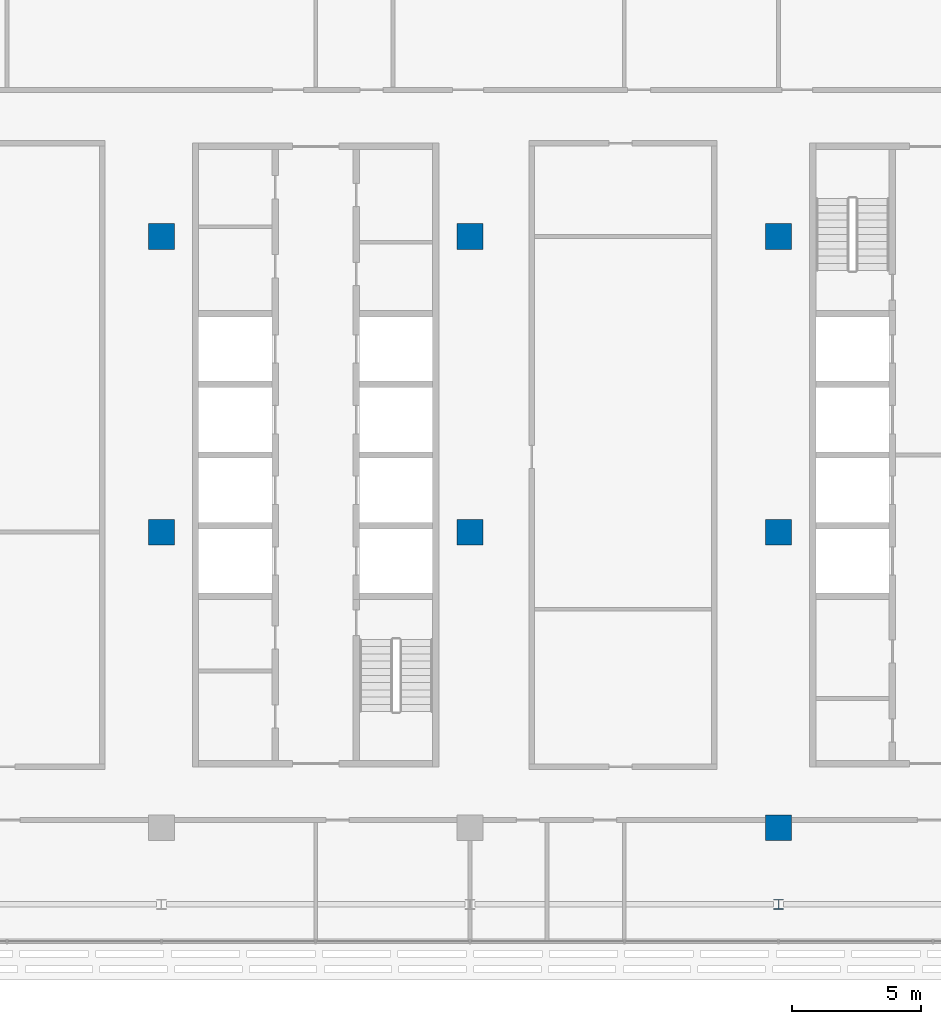
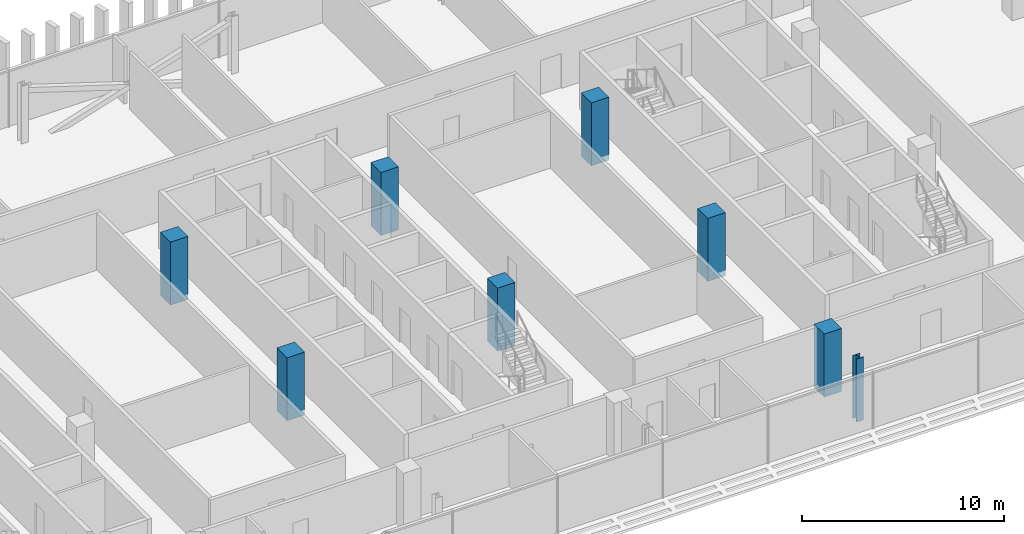
# One storey, part 2 of 32: 8 columns.
"""IFC4 building model written with IfcOpenShell, lengths in metres."""

from ifc_helpers import new_model, si_unit, direction, frame, origin, origin_2d, place, context, subcontext, project, spatial, rectangle, i_section, extrude, material, material_profile, profile_set, type_object, element, save


model = new_model("IFC4")

# Units and contexts
model_context = context("Model", 3, precision=1e-05, world=origin(), true_north=direction((0.0, 1.0)))
body_context = subcontext(model_context, "Body", "Model", "MODEL_VIEW")
ifc_project = project(units=[si_unit("LENGTHUNIT", "METRE"), si_unit("AREAUNIT", "SQUARE_METRE"), si_unit("VOLUMEUNIT", "CUBIC_METRE"), si_unit("PLANEANGLEUNIT", "RADIAN"), si_unit("MASSUNIT", "GRAM", prefix="KILO")], contexts=[model_context])

# Site, building, storey
site_placement = place(None, origin())
site = spatial("IfcSite", under=ifc_project, at=site_placement, CompositionType="ELEMENT")
building_placement = place(site_placement, origin())
building = spatial("IfcBuilding", under=site, at=building_placement, Name="Mahtab Terrace Research Tower", CompositionType="ELEMENT")
storey_placement = place(building_placement, frame((0.0, 0.0, 240.0)))
storey = spatial("IfcBuildingStorey", under=building, at=storey_placement, Name="L58", CompositionType="ELEMENT", Elevation=240.0)

# Columns
ifc_material_1 = material(Name="Concrete C70/85", Category="concrete")
ifc_material_profile_1 = material_profile(ifc_material_1, rectangle(XDim=1.0, YDim=1.0, at=origin_2d()), Name="RC column 1000x1000")
ifc_profile_set_1 = profile_set([ifc_material_profile_1], Name="Concrete C70/85")
column_type_1 = type_object("IfcColumnType", Name="RC column 1000x1000", PredefinedType="COLUMN", material=ifc_profile_set_1)
for number, where, z_axis, x_axis, name in (
    (1, (-6.0, 0.0, -0.340087890625), (0.0, 0.0, 1.0), (1.0, 0.0, 0.0), "Column RC-4B L58"),
    (2, (-6.0, 11.5, -0.340087890625), (0.0, 0.0, 1.0), (1.0, 0.0, 0.0), "Column RC-4C L58"),
    (3, (6.0, 0.0, -0.340087890625), (0.0, 0.0, 1.0), (1.0, 0.0, 0.0), "Column RC-5B L58"),
    (4, (6.0, 11.5, -0.340087890625), (0.0, 0.0, 1.0), (1.0, 0.0, 0.0), "Column RC-5C L58"),
    (5, (18.0, -11.5, -0.340087890625), (0.0, 0.0, 1.0), (1.0, 0.0, 0.0), "Column RC-6A L58"),
    (6, (18.0, 0.0, -0.340087890625), (0.0, 0.0, 1.0), (1.0, 0.0, 0.0), "Column RC-6B L58"),
    (7, (18.0, 11.5, -0.340087890625), (0.0, 0.0, 1.0), (1.0, 0.0, 0.0), "Column RC-6C L58"),
):
    element("IfcColumn", number, at=place(storey_placement, frame(where, z_axis=z_axis, x_axis=x_axis)), inside=storey, type_object=column_type_1, Name=name, PredefinedType="COLUMN", context=body_context, shape_type="SweptSolid", body=[
        extrude(rectangle(XDim=1.0, YDim=1.0, at=origin_2d()), origin(), (0.0, 0.0, 1.0), 3.800048828125),
    ])
ifc_material_2 = material(Name="Steel ASTM A992 Gr 50", Category="steel")
ifc_material_profile_2 = material_profile(ifc_material_2, i_section(OverallWidth=0.398681640625, OverallDepth=0.385986328125, WebThickness=0.02099609375, FlangeThickness=0.033203125, at=origin_2d()), Name="W14X176")
ifc_profile_set_2 = profile_set([ifc_material_profile_2], Name="Steel ASTM A992 Gr 50")
column_type_2 = type_object("IfcColumnType", Name="W14x176 column CS14176", PredefinedType="COLUMN", material=ifc_profile_set_2)
column_placement = place(storey_placement, frame((18.0, -14.472900390625, -0.340087890625), z_axis=(0.0, 0.0, 1.0), x_axis=(1.0, 0.0, 0.0)))
element("IfcColumn", 8, at=column_placement, inside=storey, type_object=column_type_2, Name="Column SC-066 L58", PredefinedType="COLUMN", context=body_context, shape_type="SweptSolid", body=[
    extrude(i_section(OverallWidth=0.398681640625, OverallDepth=0.385986328125, WebThickness=0.02099609375, FlangeThickness=0.033203125, at=origin_2d()), origin(), (0.0, 0.0, 1.0), 3.800048828125),
])

save(model, "model.ifc")
